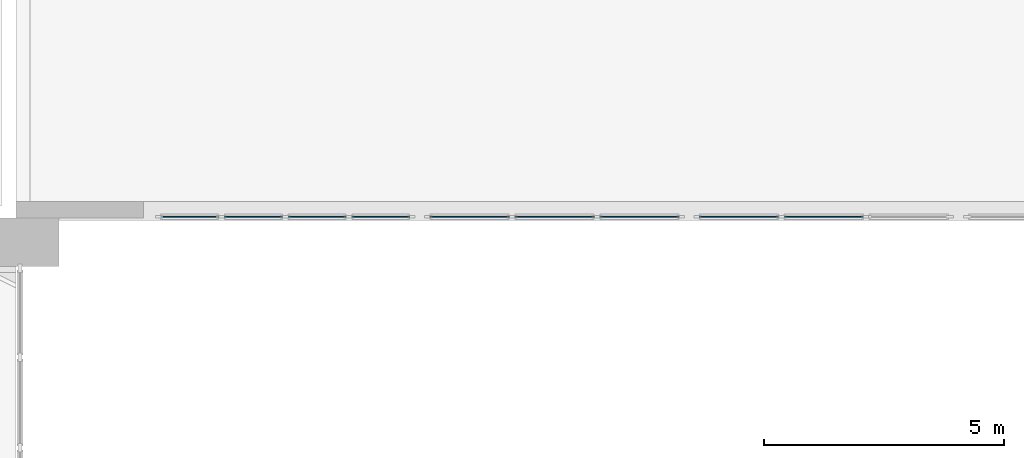
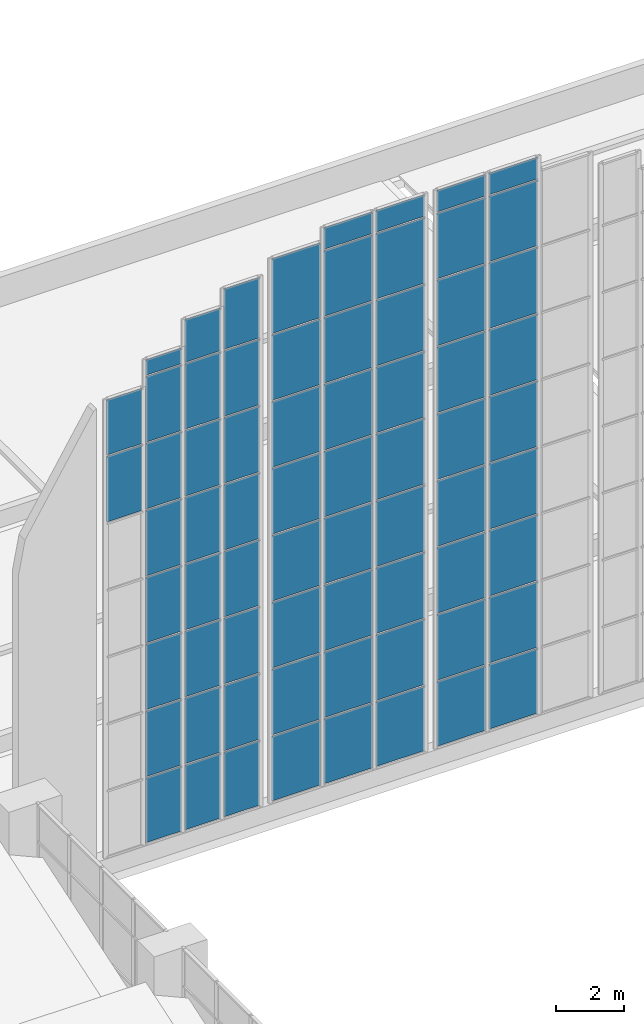
# One storey, part 27 of 43: 70 plates, 9 elements without a shape of their own.
"""IFC4 building model written with IfcOpenShell, lengths in metres."""

from ifc_helpers import new_model, si_unit, direction, frame, origin, origin_2d, place, context, subcontext, project, spatial, rectangle, extrude, material, layer, layer_set, type_object, element, aggregate, save


model = new_model("IFC4")

# Units and contexts
model_context = context("Model", 3, precision=1e-05, world=origin(), true_north=direction((0.0, 1.0)))
body_context = subcontext(model_context, "Body", "Model", "MODEL_VIEW")
ifc_project = project(units=[si_unit("LENGTHUNIT", "METRE"), si_unit("AREAUNIT", "SQUARE_METRE"), si_unit("VOLUMEUNIT", "CUBIC_METRE"), si_unit("PLANEANGLEUNIT", "RADIAN"), si_unit("MASSUNIT", "GRAM", prefix="KILO")], contexts=[model_context])

# Site, building, storey
site_placement = place(None, origin())
site = spatial("IfcSite", under=ifc_project, at=site_placement, CompositionType="ELEMENT")
building_placement = place(site_placement, origin())
building = spatial("IfcBuilding", under=site, at=building_placement, Name="Elmora Arch Market Hall", CompositionType="ELEMENT")
storey_placement = place(building_placement, frame((0.0, 0.0, 10.199951171875)))
storey = spatial("IfcBuildingStorey", under=building, at=storey_placement, Name="L02", CompositionType="ELEMENT", Elevation=10.199951171875)

# Curtain wall, plates
ifc_material_1 = material(Name="Aluminium", Category="aluminium")
curtain_wall_type = type_object("IfcCurtainWallType", Name="Gable curtain wall", PredefinedType="NOTDEFINED", material=ifc_material_1)
curtain_wall_1_placement = place(storey_placement, origin())
curtain_wall_1 = element("IfcCurtainWall", 1, at=curtain_wall_1_placement, inside=storey, type_object=curtain_wall_type, Name="North gable glazing 1", PredefinedType="NOTDEFINED")
ifc_material_2 = material(Name="Glass", Category="glass")
ifc_layer = layer(ifc_material_2, 0.028076171875)
ifc_layer_set = layer_set([ifc_layer], Name="Glass")
plate_type = type_object("IfcPlateType", Name="Glass panel 28", PredefinedType="CURTAIN_PANEL", material=ifc_layer_set)
plate_1_placement = place(storey_placement, frame((18.612548828125, 99.080078125, 12.6298828125), z_axis=(0.0, 0.0, 1.0), x_axis=(1.0, 0.0, 0.0)))
plate_1 = element("IfcPlate", 2, at=plate_1_placement, type_object=plate_type, Name="CW8 panel 1.6", PredefinedType="CURTAIN_PANEL", context=body_context, shape_type="SweptSolid", body=[
    extrude(rectangle(XDim=1.205078125, YDim=0.028076171875, at=origin_2d()), origin(), (0.0, 0.0, 1.0), 2.340087890625),
])
plate_2_placement = place(storey_placement, frame((18.612548828125, 99.080078125, 15.0302734375), z_axis=(0.0, 0.0, 1.0), x_axis=(1.0, 0.0, 0.0)))
plate_2 = element("IfcPlate", 3, at=plate_2_placement, type_object=plate_type, Name="CW8 panel 1.7", PredefinedType="CURTAIN_PANEL", context=body_context, shape_type="SweptSolid", body=[
    extrude(rectangle(XDim=1.205078125, YDim=0.028076171875, at=origin_2d()), origin(), (0.0, 0.0, 1.0), 1.968017578125),
])
aggregate(curtain_wall_1, [plate_1, plate_2])

curtain_wall_2_placement = place(storey_placement, origin())
curtain_wall_2 = element("IfcCurtainWall", 4, at=curtain_wall_2_placement, inside=storey, type_object=curtain_wall_type, Name="North gable glazing 2", PredefinedType="NOTDEFINED")
plate_3_placement = place(storey_placement, frame((19.9375, 99.080078125, 0.659912109375), z_axis=(0.0, 0.0, 1.0), x_axis=(1.0, 0.0, 0.0)))
plate_3 = element("IfcPlate", 5, at=plate_3_placement, type_object=plate_type, Name="CW8 panel 1.1", PredefinedType="CURTAIN_PANEL", context=body_context, shape_type="SweptSolid", body=[
    extrude(rectangle(XDim=1.205078125, YDim=0.028076171875, at=origin_2d()), origin(), (0.0, 0.0, 1.0), 2.31005859375),
])
plate_4_placement = place(storey_placement, frame((19.9375, 99.080078125, 3.02978515625), z_axis=(0.0, 0.0, 1.0), x_axis=(1.0, 0.0, 0.0)))
plate_4 = element("IfcPlate", 6, at=plate_4_placement, type_object=plate_type, Name="CW8 panel 1.2", PredefinedType="CURTAIN_PANEL", context=body_context, shape_type="SweptSolid", body=[
    extrude(rectangle(XDim=1.205078125, YDim=0.028076171875, at=origin_2d()), origin(), (0.0, 0.0, 1.0), 2.340087890625),
])
plate_5_placement = place(storey_placement, frame((19.9375, 99.080078125, 5.43017578125), z_axis=(0.0, 0.0, 1.0), x_axis=(1.0, 0.0, 0.0)))
plate_5 = element("IfcPlate", 7, at=plate_5_placement, type_object=plate_type, Name="CW8 panel 1.3", PredefinedType="CURTAIN_PANEL", context=body_context, shape_type="SweptSolid", body=[
    extrude(rectangle(XDim=1.205078125, YDim=0.028076171875, at=origin_2d()), origin(), (0.0, 0.0, 1.0), 2.340087890625),
])
plate_6_placement = place(storey_placement, frame((19.9375, 99.080078125, 7.830078125), z_axis=(0.0, 0.0, 1.0), x_axis=(1.0, 0.0, 0.0)))
plate_6 = element("IfcPlate", 8, at=plate_6_placement, type_object=plate_type, Name="CW8 panel 1.4", PredefinedType="CURTAIN_PANEL", context=body_context, shape_type="SweptSolid", body=[
    extrude(rectangle(XDim=1.205078125, YDim=0.028076171875, at=origin_2d()), origin(), (0.0, 0.0, 1.0), 2.340087890625),
])
plate_7_placement = place(storey_placement, frame((19.9375, 99.080078125, 10.22998046875), z_axis=(0.0, 0.0, 1.0), x_axis=(1.0, 0.0, 0.0)))
plate_7 = element("IfcPlate", 9, at=plate_7_placement, type_object=plate_type, Name="CW8 panel 1.5", PredefinedType="CURTAIN_PANEL", context=body_context, shape_type="SweptSolid", body=[
    extrude(rectangle(XDim=1.205078125, YDim=0.028076171875, at=origin_2d()), origin(), (0.0, 0.0, 1.0), 2.340087890625),
])
plate_8_placement = place(storey_placement, frame((19.9375, 99.080078125, 12.6298828125), z_axis=(0.0, 0.0, 1.0), x_axis=(1.0, 0.0, 0.0)))
plate_8 = element("IfcPlate", 10, at=plate_8_placement, type_object=plate_type, Name="CW8 panel 1.6", PredefinedType="CURTAIN_PANEL", context=body_context, shape_type="SweptSolid", body=[
    extrude(rectangle(XDim=1.205078125, YDim=0.028076171875, at=origin_2d()), origin(), (0.0, 0.0, 1.0), 2.340087890625),
])
plate_9_placement = place(storey_placement, frame((19.9375, 99.080078125, 15.02978515625), z_axis=(0.0, 0.0, 1.0), x_axis=(1.0, 0.0, 0.0)))
plate_9 = element("IfcPlate", 11, at=plate_9_placement, type_object=plate_type, Name="CW8 panel 1.7", PredefinedType="CURTAIN_PANEL", context=body_context, shape_type="SweptSolid", body=[
    extrude(rectangle(XDim=1.205078125, YDim=0.028076171875, at=origin_2d()), origin(), (0.0, 0.0, 1.0), 2.340087890625),
])
plate_10_placement = place(storey_placement, frame((19.9375, 99.080078125, 17.429931640625), z_axis=(0.0, 0.0, 1.0), x_axis=(1.0, 0.0, 0.0)))
plate_10 = element("IfcPlate", 12, at=plate_10_placement, type_object=plate_type, Name="CW8 panel 1.8", PredefinedType="CURTAIN_PANEL", context=body_context, shape_type="SweptSolid", body=[
    extrude(rectangle(XDim=1.205078125, YDim=0.028076171875, at=origin_2d()), origin(), (0.0, 0.0, 1.0), 0.5419921875),
])
aggregate(curtain_wall_2, [plate_3, plate_4, plate_5, plate_6, plate_7, plate_8, plate_9, plate_10])

curtain_wall_3_placement = place(storey_placement, origin())
curtain_wall_3 = element("IfcCurtainWall", 13, at=curtain_wall_3_placement, inside=storey, type_object=curtain_wall_type, Name="North gable glazing 3", PredefinedType="NOTDEFINED")
plate_11_placement = place(storey_placement, frame((21.262451171875, 99.080078125, 0.659912109375), z_axis=(0.0, 0.0, 1.0), x_axis=(1.0, 0.0, 0.0)))
plate_11 = element("IfcPlate", 14, at=plate_11_placement, type_object=plate_type, Name="CW8 panel 1.1", PredefinedType="CURTAIN_PANEL", context=body_context, shape_type="SweptSolid", body=[
    extrude(rectangle(XDim=1.205078125, YDim=0.028076171875, at=origin_2d()), origin(), (0.0, 0.0, 1.0), 2.31005859375),
])
plate_12_placement = place(storey_placement, frame((21.262451171875, 99.080078125, 3.02978515625), z_axis=(0.0, 0.0, 1.0), x_axis=(1.0, 0.0, 0.0)))
plate_12 = element("IfcPlate", 15, at=plate_12_placement, type_object=plate_type, Name="CW8 panel 1.2", PredefinedType="CURTAIN_PANEL", context=body_context, shape_type="SweptSolid", body=[
    extrude(rectangle(XDim=1.205078125, YDim=0.028076171875, at=origin_2d()), origin(), (0.0, 0.0, 1.0), 2.340087890625),
])
plate_13_placement = place(storey_placement, frame((21.262451171875, 99.080078125, 5.43017578125), z_axis=(0.0, 0.0, 1.0), x_axis=(1.0, 0.0, 0.0)))
plate_13 = element("IfcPlate", 16, at=plate_13_placement, type_object=plate_type, Name="CW8 panel 1.3", PredefinedType="CURTAIN_PANEL", context=body_context, shape_type="SweptSolid", body=[
    extrude(rectangle(XDim=1.205078125, YDim=0.028076171875, at=origin_2d()), origin(), (0.0, 0.0, 1.0), 2.340087890625),
])
plate_14_placement = place(storey_placement, frame((21.262451171875, 99.080078125, 7.830078125), z_axis=(0.0, 0.0, 1.0), x_axis=(1.0, 0.0, 0.0)))
plate_14 = element("IfcPlate", 17, at=plate_14_placement, type_object=plate_type, Name="CW8 panel 1.4", PredefinedType="CURTAIN_PANEL", context=body_context, shape_type="SweptSolid", body=[
    extrude(rectangle(XDim=1.205078125, YDim=0.028076171875, at=origin_2d()), origin(), (0.0, 0.0, 1.0), 2.340087890625),
])
plate_15_placement = place(storey_placement, frame((21.262451171875, 99.080078125, 10.22998046875), z_axis=(0.0, 0.0, 1.0), x_axis=(1.0, 0.0, 0.0)))
plate_15 = element("IfcPlate", 18, at=plate_15_placement, type_object=plate_type, Name="CW8 panel 1.5", PredefinedType="CURTAIN_PANEL", context=body_context, shape_type="SweptSolid", body=[
    extrude(rectangle(XDim=1.205078125, YDim=0.028076171875, at=origin_2d()), origin(), (0.0, 0.0, 1.0), 2.340087890625),
])
plate_16_placement = place(storey_placement, frame((21.262451171875, 99.080078125, 12.6298828125), z_axis=(0.0, 0.0, 1.0), x_axis=(1.0, 0.0, 0.0)))
plate_16 = element("IfcPlate", 19, at=plate_16_placement, type_object=plate_type, Name="CW8 panel 1.6", PredefinedType="CURTAIN_PANEL", context=body_context, shape_type="SweptSolid", body=[
    extrude(rectangle(XDim=1.205078125, YDim=0.028076171875, at=origin_2d()), origin(), (0.0, 0.0, 1.0), 2.340087890625),
])
plate_17_placement = place(storey_placement, frame((21.262451171875, 99.080078125, 15.02978515625), z_axis=(0.0, 0.0, 1.0), x_axis=(1.0, 0.0, 0.0)))
plate_17 = element("IfcPlate", 20, at=plate_17_placement, type_object=plate_type, Name="CW8 panel 1.7", PredefinedType="CURTAIN_PANEL", context=body_context, shape_type="SweptSolid", body=[
    extrude(rectangle(XDim=1.205078125, YDim=0.028076171875, at=origin_2d()), origin(), (0.0, 0.0, 1.0), 2.340087890625),
])
plate_18_placement = place(storey_placement, frame((21.262451171875, 99.080078125, 17.429931640625), z_axis=(0.0, 0.0, 1.0), x_axis=(1.0, 0.0, 0.0)))
plate_18 = element("IfcPlate", 21, at=plate_18_placement, type_object=plate_type, Name="CW8 panel 1.8", PredefinedType="CURTAIN_PANEL", context=body_context, shape_type="SweptSolid", body=[
    extrude(rectangle(XDim=1.205078125, YDim=0.028076171875, at=origin_2d()), origin(), (0.0, 0.0, 1.0), 1.51708984375),
])
aggregate(curtain_wall_3, [plate_11, plate_12, plate_13, plate_14, plate_15, plate_16, plate_17, plate_18])

curtain_wall_4_placement = place(storey_placement, origin())
curtain_wall_4 = element("IfcCurtainWall", 22, at=curtain_wall_4_placement, inside=storey, type_object=curtain_wall_type, Name="North gable glazing 4", PredefinedType="NOTDEFINED")
plate_19_placement = place(storey_placement, frame((22.58740234375, 99.080078125, 0.659912109375), z_axis=(0.0, 0.0, 1.0), x_axis=(1.0, 0.0, 0.0)))
plate_19 = element("IfcPlate", 23, at=plate_19_placement, type_object=plate_type, Name="CW8 panel 1.1", PredefinedType="CURTAIN_PANEL", context=body_context, shape_type="SweptSolid", body=[
    extrude(rectangle(XDim=1.205078125, YDim=0.028076171875, at=origin_2d()), origin(), (0.0, 0.0, 1.0), 2.31005859375),
])
plate_20_placement = place(storey_placement, frame((22.58740234375, 99.080078125, 3.02978515625), z_axis=(0.0, 0.0, 1.0), x_axis=(1.0, 0.0, 0.0)))
plate_20 = element("IfcPlate", 24, at=plate_20_placement, type_object=plate_type, Name="CW8 panel 1.2", PredefinedType="CURTAIN_PANEL", context=body_context, shape_type="SweptSolid", body=[
    extrude(rectangle(XDim=1.205078125, YDim=0.028076171875, at=origin_2d()), origin(), (0.0, 0.0, 1.0), 2.340087890625),
])
plate_21_placement = place(storey_placement, frame((22.58740234375, 99.080078125, 5.43017578125), z_axis=(0.0, 0.0, 1.0), x_axis=(1.0, 0.0, 0.0)))
plate_21 = element("IfcPlate", 25, at=plate_21_placement, type_object=plate_type, Name="CW8 panel 1.3", PredefinedType="CURTAIN_PANEL", context=body_context, shape_type="SweptSolid", body=[
    extrude(rectangle(XDim=1.205078125, YDim=0.028076171875, at=origin_2d()), origin(), (0.0, 0.0, 1.0), 2.340087890625),
])
plate_22_placement = place(storey_placement, frame((22.58740234375, 99.080078125, 7.830078125), z_axis=(0.0, 0.0, 1.0), x_axis=(1.0, 0.0, 0.0)))
plate_22 = element("IfcPlate", 26, at=plate_22_placement, type_object=plate_type, Name="CW8 panel 1.4", PredefinedType="CURTAIN_PANEL", context=body_context, shape_type="SweptSolid", body=[
    extrude(rectangle(XDim=1.205078125, YDim=0.028076171875, at=origin_2d()), origin(), (0.0, 0.0, 1.0), 2.340087890625),
])
plate_23_placement = place(storey_placement, frame((22.58740234375, 99.080078125, 10.22998046875), z_axis=(0.0, 0.0, 1.0), x_axis=(1.0, 0.0, 0.0)))
plate_23 = element("IfcPlate", 27, at=plate_23_placement, type_object=plate_type, Name="CW8 panel 1.5", PredefinedType="CURTAIN_PANEL", context=body_context, shape_type="SweptSolid", body=[
    extrude(rectangle(XDim=1.205078125, YDim=0.028076171875, at=origin_2d()), origin(), (0.0, 0.0, 1.0), 2.340087890625),
])
plate_24_placement = place(storey_placement, frame((22.58740234375, 99.080078125, 12.6298828125), z_axis=(0.0, 0.0, 1.0), x_axis=(1.0, 0.0, 0.0)))
plate_24 = element("IfcPlate", 28, at=plate_24_placement, type_object=plate_type, Name="CW8 panel 1.6", PredefinedType="CURTAIN_PANEL", context=body_context, shape_type="SweptSolid", body=[
    extrude(rectangle(XDim=1.205078125, YDim=0.028076171875, at=origin_2d()), origin(), (0.0, 0.0, 1.0), 2.340087890625),
])
plate_25_placement = place(storey_placement, frame((22.58740234375, 99.080078125, 15.02978515625), z_axis=(0.0, 0.0, 1.0), x_axis=(1.0, 0.0, 0.0)))
plate_25 = element("IfcPlate", 29, at=plate_25_placement, type_object=plate_type, Name="CW8 panel 1.7", PredefinedType="CURTAIN_PANEL", context=body_context, shape_type="SweptSolid", body=[
    extrude(rectangle(XDim=1.205078125, YDim=0.028076171875, at=origin_2d()), origin(), (0.0, 0.0, 1.0), 2.340087890625),
])
plate_26_placement = place(storey_placement, frame((22.58740234375, 99.080078125, 17.43017578125), z_axis=(0.0, 0.0, 1.0), x_axis=(1.0, 0.0, 0.0)))
plate_26 = element("IfcPlate", 30, at=plate_26_placement, type_object=plate_type, Name="CW8 panel 1.8", PredefinedType="CURTAIN_PANEL", context=body_context, shape_type="SweptSolid", body=[
    extrude(rectangle(XDim=1.205078125, YDim=0.028076171875, at=origin_2d()), origin(), (0.0, 0.0, 1.0), 2.155029296875),
])
aggregate(curtain_wall_4, [plate_19, plate_20, plate_21, plate_22, plate_23, plate_24, plate_25, plate_26])

curtain_wall_5_placement = place(storey_placement, origin())
curtain_wall_5 = element("IfcCurtainWall", 31, at=curtain_wall_5_placement, inside=storey, type_object=curtain_wall_type, Name="North gable glazing 5", PredefinedType="NOTDEFINED")
plate_27_placement = place(storey_placement, frame((24.433349609375, 99.080078125, 0.659912109375), z_axis=(0.0, 0.0, 1.0), x_axis=(1.0, 0.0, 0.0)))
plate_27 = element("IfcPlate", 32, at=plate_27_placement, type_object=plate_type, Name="CW8 panel 1.1", PredefinedType="CURTAIN_PANEL", context=body_context, shape_type="SweptSolid", body=[
    extrude(rectangle(XDim=1.646728515625, YDim=0.028076171875, at=origin_2d()), origin(), (0.0, 0.0, 1.0), 2.31005859375),
])
plate_28_placement = place(storey_placement, frame((24.433349609375, 99.080078125, 3.02978515625), z_axis=(0.0, 0.0, 1.0), x_axis=(1.0, 0.0, 0.0)))
plate_28 = element("IfcPlate", 33, at=plate_28_placement, type_object=plate_type, Name="CW8 panel 1.2", PredefinedType="CURTAIN_PANEL", context=body_context, shape_type="SweptSolid", body=[
    extrude(rectangle(XDim=1.646728515625, YDim=0.028076171875, at=origin_2d()), origin(), (0.0, 0.0, 1.0), 2.340087890625),
])
plate_29_placement = place(storey_placement, frame((24.433349609375, 99.080078125, 5.43017578125), z_axis=(0.0, 0.0, 1.0), x_axis=(1.0, 0.0, 0.0)))
plate_29 = element("IfcPlate", 34, at=plate_29_placement, type_object=plate_type, Name="CW8 panel 1.3", PredefinedType="CURTAIN_PANEL", context=body_context, shape_type="SweptSolid", body=[
    extrude(rectangle(XDim=1.646728515625, YDim=0.028076171875, at=origin_2d()), origin(), (0.0, 0.0, 1.0), 2.340087890625),
])
plate_30_placement = place(storey_placement, frame((24.433349609375, 99.080078125, 7.830078125), z_axis=(0.0, 0.0, 1.0), x_axis=(1.0, 0.0, 0.0)))
plate_30 = element("IfcPlate", 35, at=plate_30_placement, type_object=plate_type, Name="CW8 panel 1.4", PredefinedType="CURTAIN_PANEL", context=body_context, shape_type="SweptSolid", body=[
    extrude(rectangle(XDim=1.646728515625, YDim=0.028076171875, at=origin_2d()), origin(), (0.0, 0.0, 1.0), 2.340087890625),
])
plate_31_placement = place(storey_placement, frame((24.433349609375, 99.080078125, 10.22998046875), z_axis=(0.0, 0.0, 1.0), x_axis=(1.0, 0.0, 0.0)))
plate_31 = element("IfcPlate", 36, at=plate_31_placement, type_object=plate_type, Name="CW8 panel 1.5", PredefinedType="CURTAIN_PANEL", context=body_context, shape_type="SweptSolid", body=[
    extrude(rectangle(XDim=1.646728515625, YDim=0.028076171875, at=origin_2d()), origin(), (0.0, 0.0, 1.0), 2.340087890625),
])
plate_32_placement = place(storey_placement, frame((24.433349609375, 99.080078125, 12.6298828125), z_axis=(0.0, 0.0, 1.0), x_axis=(1.0, 0.0, 0.0)))
plate_32 = element("IfcPlate", 37, at=plate_32_placement, type_object=plate_type, Name="CW8 panel 1.6", PredefinedType="CURTAIN_PANEL", context=body_context, shape_type="SweptSolid", body=[
    extrude(rectangle(XDim=1.646728515625, YDim=0.028076171875, at=origin_2d()), origin(), (0.0, 0.0, 1.0), 2.340087890625),
])
plate_33_placement = place(storey_placement, frame((24.433349609375, 99.080078125, 15.02978515625), z_axis=(0.0, 0.0, 1.0), x_axis=(1.0, 0.0, 0.0)))
plate_33 = element("IfcPlate", 38, at=plate_33_placement, type_object=plate_type, Name="CW8 panel 1.7", PredefinedType="CURTAIN_PANEL", context=body_context, shape_type="SweptSolid", body=[
    extrude(rectangle(XDim=1.646728515625, YDim=0.028076171875, at=origin_2d()), origin(), (0.0, 0.0, 1.0), 2.340087890625),
])
plate_34_placement = place(storey_placement, frame((24.433349609375, 99.080078125, 17.43017578125), z_axis=(0.0, 0.0, 1.0), x_axis=(1.0, 0.0, 0.0)))
plate_34 = element("IfcPlate", 39, at=plate_34_placement, type_object=plate_type, Name="CW8 panel 1.8", PredefinedType="CURTAIN_PANEL", context=body_context, shape_type="SweptSolid", body=[
    extrude(rectangle(XDim=1.646728515625, YDim=0.028076171875, at=origin_2d()), origin(), (0.0, 0.0, 1.0), 2.66796875),
])
aggregate(curtain_wall_5, [plate_27, plate_28, plate_29, plate_30, plate_31, plate_32, plate_33, plate_34])

curtain_wall_6_placement = place(storey_placement, origin())
curtain_wall_6 = element("IfcCurtainWall", 40, at=curtain_wall_6_placement, inside=storey, type_object=curtain_wall_type, Name="North gable glazing 6", PredefinedType="NOTDEFINED")
plate_35_placement = place(storey_placement, frame((26.199951171875, 99.080078125, 0.659912109375), z_axis=(0.0, 0.0, 1.0), x_axis=(1.0, 0.0, 0.0)))
plate_35 = element("IfcPlate", 41, at=plate_35_placement, type_object=plate_type, Name="CW8 panel 1.1", PredefinedType="CURTAIN_PANEL", context=body_context, shape_type="SweptSolid", body=[
    extrude(rectangle(XDim=1.646728515625, YDim=0.028076171875, at=origin_2d()), origin(), (0.0, 0.0, 1.0), 2.31005859375),
])
plate_36_placement = place(storey_placement, frame((26.199951171875, 99.080078125, 3.02978515625), z_axis=(0.0, 0.0, 1.0), x_axis=(1.0, 0.0, 0.0)))
plate_36 = element("IfcPlate", 42, at=plate_36_placement, type_object=plate_type, Name="CW8 panel 1.2", PredefinedType="CURTAIN_PANEL", context=body_context, shape_type="SweptSolid", body=[
    extrude(rectangle(XDim=1.646728515625, YDim=0.028076171875, at=origin_2d()), origin(), (0.0, 0.0, 1.0), 2.340087890625),
])
plate_37_placement = place(storey_placement, frame((26.199951171875, 99.080078125, 5.43017578125), z_axis=(0.0, 0.0, 1.0), x_axis=(1.0, 0.0, 0.0)))
plate_37 = element("IfcPlate", 43, at=plate_37_placement, type_object=plate_type, Name="CW8 panel 1.3", PredefinedType="CURTAIN_PANEL", context=body_context, shape_type="SweptSolid", body=[
    extrude(rectangle(XDim=1.646728515625, YDim=0.028076171875, at=origin_2d()), origin(), (0.0, 0.0, 1.0), 2.340087890625),
])
plate_38_placement = place(storey_placement, frame((26.199951171875, 99.080078125, 7.830078125), z_axis=(0.0, 0.0, 1.0), x_axis=(1.0, 0.0, 0.0)))
plate_38 = element("IfcPlate", 44, at=plate_38_placement, type_object=plate_type, Name="CW8 panel 1.4", PredefinedType="CURTAIN_PANEL", context=body_context, shape_type="SweptSolid", body=[
    extrude(rectangle(XDim=1.646728515625, YDim=0.028076171875, at=origin_2d()), origin(), (0.0, 0.0, 1.0), 2.340087890625),
])
plate_39_placement = place(storey_placement, frame((26.199951171875, 99.080078125, 10.22998046875), z_axis=(0.0, 0.0, 1.0), x_axis=(1.0, 0.0, 0.0)))
plate_39 = element("IfcPlate", 45, at=plate_39_placement, type_object=plate_type, Name="CW8 panel 1.5", PredefinedType="CURTAIN_PANEL", context=body_context, shape_type="SweptSolid", body=[
    extrude(rectangle(XDim=1.646728515625, YDim=0.028076171875, at=origin_2d()), origin(), (0.0, 0.0, 1.0), 2.340087890625),
])
plate_40_placement = place(storey_placement, frame((26.199951171875, 99.080078125, 12.6298828125), z_axis=(0.0, 0.0, 1.0), x_axis=(1.0, 0.0, 0.0)))
plate_40 = element("IfcPlate", 46, at=plate_40_placement, type_object=plate_type, Name="CW8 panel 1.6", PredefinedType="CURTAIN_PANEL", context=body_context, shape_type="SweptSolid", body=[
    extrude(rectangle(XDim=1.646728515625, YDim=0.028076171875, at=origin_2d()), origin(), (0.0, 0.0, 1.0), 2.340087890625),
])
plate_41_placement = place(storey_placement, frame((26.199951171875, 99.080078125, 15.02978515625), z_axis=(0.0, 0.0, 1.0), x_axis=(1.0, 0.0, 0.0)))
plate_41 = element("IfcPlate", 47, at=plate_41_placement, type_object=plate_type, Name="CW8 panel 1.7", PredefinedType="CURTAIN_PANEL", context=body_context, shape_type="SweptSolid", body=[
    extrude(rectangle(XDim=1.646728515625, YDim=0.028076171875, at=origin_2d()), origin(), (0.0, 0.0, 1.0), 2.340087890625),
])
plate_42_placement = place(storey_placement, frame((26.199951171875, 99.080078125, 17.43017578125), z_axis=(0.0, 0.0, 1.0), x_axis=(1.0, 0.0, 0.0)))
plate_42 = element("IfcPlate", 48, at=plate_42_placement, type_object=plate_type, Name="CW8 panel 1.8", PredefinedType="CURTAIN_PANEL", context=body_context, shape_type="SweptSolid", body=[
    extrude(rectangle(XDim=1.646728515625, YDim=0.028076171875, at=origin_2d()), origin(), (0.0, 0.0, 1.0), 2.340087890625),
])
plate_43_placement = place(storey_placement, frame((26.199951171875, 99.080078125, 19.830078125), z_axis=(0.0, 0.0, 1.0), x_axis=(1.0, 0.0, 0.0)))
plate_43 = element("IfcPlate", 49, at=plate_43_placement, type_object=plate_type, Name="CW8 panel 1.9", PredefinedType="CURTAIN_PANEL", context=body_context, shape_type="SweptSolid", body=[
    extrude(rectangle(XDim=1.646728515625, YDim=0.028076171875, at=origin_2d()), origin(), (0.0, 0.0, 1.0), 0.760009765625),
])
aggregate(curtain_wall_6, [plate_35, plate_36, plate_37, plate_38, plate_39, plate_40, plate_41, plate_42, plate_43])

curtain_wall_7_placement = place(storey_placement, origin())
curtain_wall_7 = element("IfcCurtainWall", 50, at=curtain_wall_7_placement, inside=storey, type_object=curtain_wall_type, Name="North gable glazing 7", PredefinedType="NOTDEFINED")
plate_44_placement = place(storey_placement, frame((27.966552734375, 99.080078125, 0.659912109375), z_axis=(0.0, 0.0, 1.0), x_axis=(1.0, 0.0, 0.0)))
plate_44 = element("IfcPlate", 51, at=plate_44_placement, type_object=plate_type, Name="CW8 panel 1.1", PredefinedType="CURTAIN_PANEL", context=body_context, shape_type="SweptSolid", body=[
    extrude(rectangle(XDim=1.646728515625, YDim=0.028076171875, at=origin_2d()), origin(), (0.0, 0.0, 1.0), 2.31005859375),
])
plate_45_placement = place(storey_placement, frame((27.966552734375, 99.080078125, 3.02978515625), z_axis=(0.0, 0.0, 1.0), x_axis=(1.0, 0.0, 0.0)))
plate_45 = element("IfcPlate", 52, at=plate_45_placement, type_object=plate_type, Name="CW8 panel 1.2", PredefinedType="CURTAIN_PANEL", context=body_context, shape_type="SweptSolid", body=[
    extrude(rectangle(XDim=1.646728515625, YDim=0.028076171875, at=origin_2d()), origin(), (0.0, 0.0, 1.0), 2.340087890625),
])
plate_46_placement = place(storey_placement, frame((27.966552734375, 99.080078125, 5.43017578125), z_axis=(0.0, 0.0, 1.0), x_axis=(1.0, 0.0, 0.0)))
plate_46 = element("IfcPlate", 53, at=plate_46_placement, type_object=plate_type, Name="CW8 panel 1.3", PredefinedType="CURTAIN_PANEL", context=body_context, shape_type="SweptSolid", body=[
    extrude(rectangle(XDim=1.646728515625, YDim=0.028076171875, at=origin_2d()), origin(), (0.0, 0.0, 1.0), 2.340087890625),
])
plate_47_placement = place(storey_placement, frame((27.966552734375, 99.080078125, 7.830078125), z_axis=(0.0, 0.0, 1.0), x_axis=(1.0, 0.0, 0.0)))
plate_47 = element("IfcPlate", 54, at=plate_47_placement, type_object=plate_type, Name="CW8 panel 1.4", PredefinedType="CURTAIN_PANEL", context=body_context, shape_type="SweptSolid", body=[
    extrude(rectangle(XDim=1.646728515625, YDim=0.028076171875, at=origin_2d()), origin(), (0.0, 0.0, 1.0), 2.340087890625),
])
plate_48_placement = place(storey_placement, frame((27.966552734375, 99.080078125, 10.22998046875), z_axis=(0.0, 0.0, 1.0), x_axis=(1.0, 0.0, 0.0)))
plate_48 = element("IfcPlate", 55, at=plate_48_placement, type_object=plate_type, Name="CW8 panel 1.5", PredefinedType="CURTAIN_PANEL", context=body_context, shape_type="SweptSolid", body=[
    extrude(rectangle(XDim=1.646728515625, YDim=0.028076171875, at=origin_2d()), origin(), (0.0, 0.0, 1.0), 2.340087890625),
])
plate_49_placement = place(storey_placement, frame((27.966552734375, 99.080078125, 12.6298828125), z_axis=(0.0, 0.0, 1.0), x_axis=(1.0, 0.0, 0.0)))
plate_49 = element("IfcPlate", 56, at=plate_49_placement, type_object=plate_type, Name="CW8 panel 1.6", PredefinedType="CURTAIN_PANEL", context=body_context, shape_type="SweptSolid", body=[
    extrude(rectangle(XDim=1.646728515625, YDim=0.028076171875, at=origin_2d()), origin(), (0.0, 0.0, 1.0), 2.340087890625),
])
plate_50_placement = place(storey_placement, frame((27.966552734375, 99.080078125, 15.02978515625), z_axis=(0.0, 0.0, 1.0), x_axis=(1.0, 0.0, 0.0)))
plate_50 = element("IfcPlate", 57, at=plate_50_placement, type_object=plate_type, Name="CW8 panel 1.7", PredefinedType="CURTAIN_PANEL", context=body_context, shape_type="SweptSolid", body=[
    extrude(rectangle(XDim=1.646728515625, YDim=0.028076171875, at=origin_2d()), origin(), (0.0, 0.0, 1.0), 2.340087890625),
])
plate_51_placement = place(storey_placement, frame((27.966552734375, 99.080078125, 17.43017578125), z_axis=(0.0, 0.0, 1.0), x_axis=(1.0, 0.0, 0.0)))
plate_51 = element("IfcPlate", 58, at=plate_51_placement, type_object=plate_type, Name="CW8 panel 1.8", PredefinedType="CURTAIN_PANEL", context=body_context, shape_type="SweptSolid", body=[
    extrude(rectangle(XDim=1.646728515625, YDim=0.028076171875, at=origin_2d()), origin(), (0.0, 0.0, 1.0), 2.340087890625),
])
plate_52_placement = place(storey_placement, frame((27.966552734375, 99.080078125, 19.830078125), z_axis=(0.0, 0.0, 1.0), x_axis=(1.0, 0.0, 0.0)))
plate_52 = element("IfcPlate", 59, at=plate_52_placement, type_object=plate_type, Name="CW8 panel 1.9", PredefinedType="CURTAIN_PANEL", context=body_context, shape_type="SweptSolid", body=[
    extrude(rectangle(XDim=1.646728515625, YDim=0.028076171875, at=origin_2d()), origin(), (0.0, 0.0, 1.0), 0.760009765625),
])
aggregate(curtain_wall_7, [plate_44, plate_45, plate_46, plate_47, plate_48, plate_49, plate_50, plate_51, plate_52])

curtain_wall_8_placement = place(storey_placement, origin())
curtain_wall_8 = element("IfcCurtainWall", 60, at=curtain_wall_8_placement, inside=storey, type_object=curtain_wall_type, Name="North gable glazing 8", PredefinedType="NOTDEFINED")
plate_53_placement = place(storey_placement, frame((30.033447265625, 99.080078125, 0.659912109375), z_axis=(0.0, 0.0, 1.0), x_axis=(1.0, 0.0, 0.0)))
plate_53 = element("IfcPlate", 61, at=plate_53_placement, type_object=plate_type, Name="CW8 panel 1.1", PredefinedType="CURTAIN_PANEL", context=body_context, shape_type="SweptSolid", body=[
    extrude(rectangle(XDim=1.646728515625, YDim=0.028076171875, at=origin_2d()), origin(), (0.0, 0.0, 1.0), 2.31005859375),
])
plate_54_placement = place(storey_placement, frame((30.033447265625, 99.080078125, 3.02978515625), z_axis=(0.0, 0.0, 1.0), x_axis=(1.0, 0.0, 0.0)))
plate_54 = element("IfcPlate", 62, at=plate_54_placement, type_object=plate_type, Name="CW8 panel 1.2", PredefinedType="CURTAIN_PANEL", context=body_context, shape_type="SweptSolid", body=[
    extrude(rectangle(XDim=1.646728515625, YDim=0.028076171875, at=origin_2d()), origin(), (0.0, 0.0, 1.0), 2.340087890625),
])
plate_55_placement = place(storey_placement, frame((30.033447265625, 99.080078125, 5.43017578125), z_axis=(0.0, 0.0, 1.0), x_axis=(1.0, 0.0, 0.0)))
plate_55 = element("IfcPlate", 63, at=plate_55_placement, type_object=plate_type, Name="CW8 panel 1.3", PredefinedType="CURTAIN_PANEL", context=body_context, shape_type="SweptSolid", body=[
    extrude(rectangle(XDim=1.646728515625, YDim=0.028076171875, at=origin_2d()), origin(), (0.0, 0.0, 1.0), 2.340087890625),
])
plate_56_placement = place(storey_placement, frame((30.033447265625, 99.080078125, 7.830078125), z_axis=(0.0, 0.0, 1.0), x_axis=(1.0, 0.0, 0.0)))
plate_56 = element("IfcPlate", 64, at=plate_56_placement, type_object=plate_type, Name="CW8 panel 1.4", PredefinedType="CURTAIN_PANEL", context=body_context, shape_type="SweptSolid", body=[
    extrude(rectangle(XDim=1.646728515625, YDim=0.028076171875, at=origin_2d()), origin(), (0.0, 0.0, 1.0), 2.340087890625),
])
plate_57_placement = place(storey_placement, frame((30.033447265625, 99.080078125, 10.22998046875), z_axis=(0.0, 0.0, 1.0), x_axis=(1.0, 0.0, 0.0)))
plate_57 = element("IfcPlate", 65, at=plate_57_placement, type_object=plate_type, Name="CW8 panel 1.5", PredefinedType="CURTAIN_PANEL", context=body_context, shape_type="SweptSolid", body=[
    extrude(rectangle(XDim=1.646728515625, YDim=0.028076171875, at=origin_2d()), origin(), (0.0, 0.0, 1.0), 2.340087890625),
])
plate_58_placement = place(storey_placement, frame((30.033447265625, 99.080078125, 12.6298828125), z_axis=(0.0, 0.0, 1.0), x_axis=(1.0, 0.0, 0.0)))
plate_58 = element("IfcPlate", 66, at=plate_58_placement, type_object=plate_type, Name="CW8 panel 1.6", PredefinedType="CURTAIN_PANEL", context=body_context, shape_type="SweptSolid", body=[
    extrude(rectangle(XDim=1.646728515625, YDim=0.028076171875, at=origin_2d()), origin(), (0.0, 0.0, 1.0), 2.340087890625),
])
plate_59_placement = place(storey_placement, frame((30.033447265625, 99.080078125, 15.02978515625), z_axis=(0.0, 0.0, 1.0), x_axis=(1.0, 0.0, 0.0)))
plate_59 = element("IfcPlate", 67, at=plate_59_placement, type_object=plate_type, Name="CW8 panel 1.7", PredefinedType="CURTAIN_PANEL", context=body_context, shape_type="SweptSolid", body=[
    extrude(rectangle(XDim=1.646728515625, YDim=0.028076171875, at=origin_2d()), origin(), (0.0, 0.0, 1.0), 2.340087890625),
])
plate_60_placement = place(storey_placement, frame((30.033447265625, 99.080078125, 17.43017578125), z_axis=(0.0, 0.0, 1.0), x_axis=(1.0, 0.0, 0.0)))
plate_60 = element("IfcPlate", 68, at=plate_60_placement, type_object=plate_type, Name="CW8 panel 1.8", PredefinedType="CURTAIN_PANEL", context=body_context, shape_type="SweptSolid", body=[
    extrude(rectangle(XDim=1.646728515625, YDim=0.028076171875, at=origin_2d()), origin(), (0.0, 0.0, 1.0), 2.340087890625),
])
plate_61_placement = place(storey_placement, frame((30.033447265625, 99.080078125, 19.830078125), z_axis=(0.0, 0.0, 1.0), x_axis=(1.0, 0.0, 0.0)))
plate_61 = element("IfcPlate", 69, at=plate_61_placement, type_object=plate_type, Name="CW8 panel 1.9", PredefinedType="CURTAIN_PANEL", context=body_context, shape_type="SweptSolid", body=[
    extrude(rectangle(XDim=1.646728515625, YDim=0.028076171875, at=origin_2d()), origin(), (0.0, 0.0, 1.0), 0.760009765625),
])
aggregate(curtain_wall_8, [plate_53, plate_54, plate_55, plate_56, plate_57, plate_58, plate_59, plate_60, plate_61])

curtain_wall_9_placement = place(storey_placement, origin())
curtain_wall_9 = element("IfcCurtainWall", 70, at=curtain_wall_9_placement, inside=storey, type_object=curtain_wall_type, Name="North gable glazing 9", PredefinedType="NOTDEFINED")
plate_62_placement = place(storey_placement, frame((31.800048828125, 99.080078125, 0.659912109375), z_axis=(0.0, 0.0, 1.0), x_axis=(1.0, 0.0, 0.0)))
plate_62 = element("IfcPlate", 71, at=plate_62_placement, type_object=plate_type, Name="CW8 panel 1.1", PredefinedType="CURTAIN_PANEL", context=body_context, shape_type="SweptSolid", body=[
    extrude(rectangle(XDim=1.646728515625, YDim=0.028076171875, at=origin_2d()), origin(), (0.0, 0.0, 1.0), 2.31005859375),
])
plate_63_placement = place(storey_placement, frame((31.800048828125, 99.080078125, 3.02978515625), z_axis=(0.0, 0.0, 1.0), x_axis=(1.0, 0.0, 0.0)))
plate_63 = element("IfcPlate", 72, at=plate_63_placement, type_object=plate_type, Name="CW8 panel 1.2", PredefinedType="CURTAIN_PANEL", context=body_context, shape_type="SweptSolid", body=[
    extrude(rectangle(XDim=1.646728515625, YDim=0.028076171875, at=origin_2d()), origin(), (0.0, 0.0, 1.0), 2.340087890625),
])
plate_64_placement = place(storey_placement, frame((31.800048828125, 99.080078125, 5.43017578125), z_axis=(0.0, 0.0, 1.0), x_axis=(1.0, 0.0, 0.0)))
plate_64 = element("IfcPlate", 73, at=plate_64_placement, type_object=plate_type, Name="CW8 panel 1.3", PredefinedType="CURTAIN_PANEL", context=body_context, shape_type="SweptSolid", body=[
    extrude(rectangle(XDim=1.646728515625, YDim=0.028076171875, at=origin_2d()), origin(), (0.0, 0.0, 1.0), 2.340087890625),
])
plate_65_placement = place(storey_placement, frame((31.800048828125, 99.080078125, 7.830078125), z_axis=(0.0, 0.0, 1.0), x_axis=(1.0, 0.0, 0.0)))
plate_65 = element("IfcPlate", 74, at=plate_65_placement, type_object=plate_type, Name="CW8 panel 1.4", PredefinedType="CURTAIN_PANEL", context=body_context, shape_type="SweptSolid", body=[
    extrude(rectangle(XDim=1.646728515625, YDim=0.028076171875, at=origin_2d()), origin(), (0.0, 0.0, 1.0), 2.340087890625),
])
plate_66_placement = place(storey_placement, frame((31.800048828125, 99.080078125, 10.22998046875), z_axis=(0.0, 0.0, 1.0), x_axis=(1.0, 0.0, 0.0)))
plate_66 = element("IfcPlate", 75, at=plate_66_placement, type_object=plate_type, Name="CW8 panel 1.5", PredefinedType="CURTAIN_PANEL", context=body_context, shape_type="SweptSolid", body=[
    extrude(rectangle(XDim=1.646728515625, YDim=0.028076171875, at=origin_2d()), origin(), (0.0, 0.0, 1.0), 2.340087890625),
])
plate_67_placement = place(storey_placement, frame((31.800048828125, 99.080078125, 12.6298828125), z_axis=(0.0, 0.0, 1.0), x_axis=(1.0, 0.0, 0.0)))
plate_67 = element("IfcPlate", 76, at=plate_67_placement, type_object=plate_type, Name="CW8 panel 1.6", PredefinedType="CURTAIN_PANEL", context=body_context, shape_type="SweptSolid", body=[
    extrude(rectangle(XDim=1.646728515625, YDim=0.028076171875, at=origin_2d()), origin(), (0.0, 0.0, 1.0), 2.340087890625),
])
plate_68_placement = place(storey_placement, frame((31.800048828125, 99.080078125, 15.02978515625), z_axis=(0.0, 0.0, 1.0), x_axis=(1.0, 0.0, 0.0)))
plate_68 = element("IfcPlate", 77, at=plate_68_placement, type_object=plate_type, Name="CW8 panel 1.7", PredefinedType="CURTAIN_PANEL", context=body_context, shape_type="SweptSolid", body=[
    extrude(rectangle(XDim=1.646728515625, YDim=0.028076171875, at=origin_2d()), origin(), (0.0, 0.0, 1.0), 2.340087890625),
])
plate_69_placement = place(storey_placement, frame((31.800048828125, 99.080078125, 17.43017578125), z_axis=(0.0, 0.0, 1.0), x_axis=(1.0, 0.0, 0.0)))
plate_69 = element("IfcPlate", 78, at=plate_69_placement, type_object=plate_type, Name="CW8 panel 1.8", PredefinedType="CURTAIN_PANEL", context=body_context, shape_type="SweptSolid", body=[
    extrude(rectangle(XDim=1.646728515625, YDim=0.028076171875, at=origin_2d()), origin(), (0.0, 0.0, 1.0), 2.340087890625),
])
plate_70_placement = place(storey_placement, frame((31.800048828125, 99.080078125, 19.830078125), z_axis=(0.0, 0.0, 1.0), x_axis=(1.0, 0.0, 0.0)))
plate_70 = element("IfcPlate", 79, at=plate_70_placement, type_object=plate_type, Name="CW8 panel 1.9", PredefinedType="CURTAIN_PANEL", context=body_context, shape_type="SweptSolid", body=[
    extrude(rectangle(XDim=1.646728515625, YDim=0.028076171875, at=origin_2d()), origin(), (0.0, 0.0, 1.0), 0.760009765625),
])
aggregate(curtain_wall_9, [plate_62, plate_63, plate_64, plate_65, plate_66, plate_67, plate_68, plate_69, plate_70])

save(model, "model.ifc")
